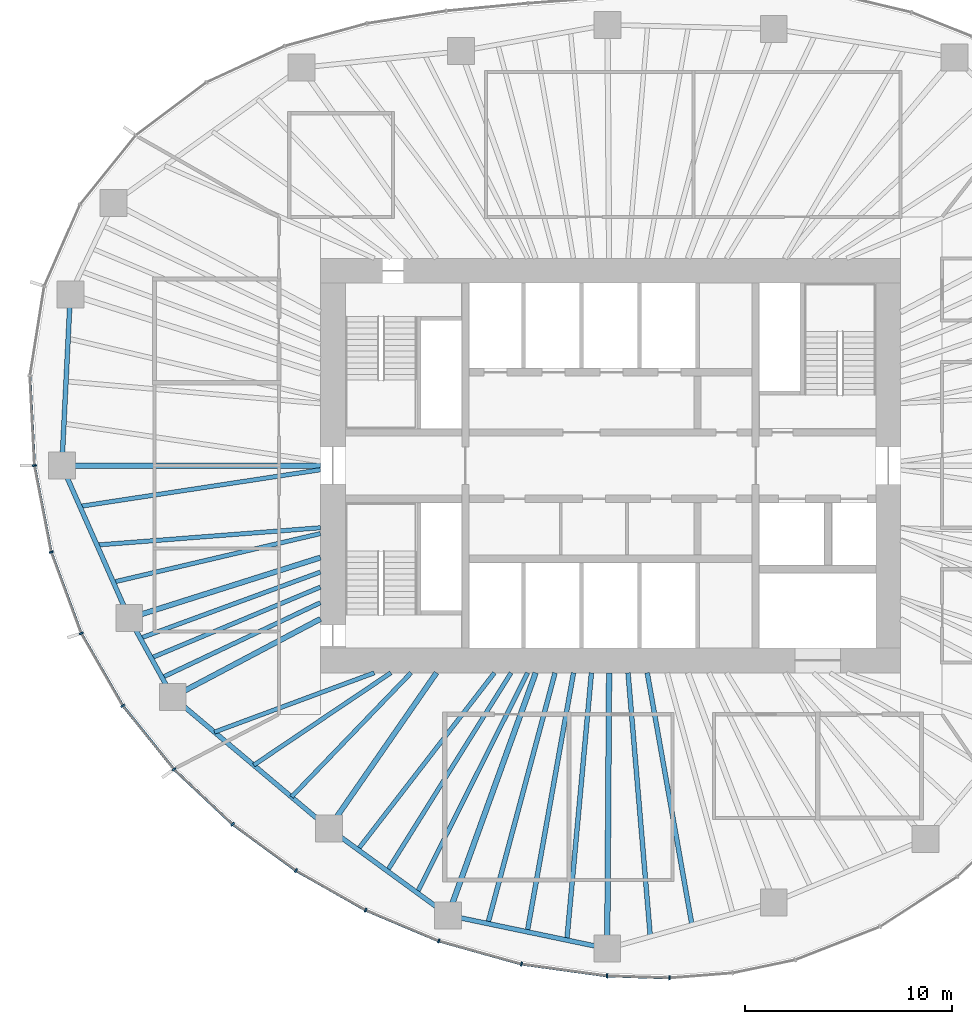
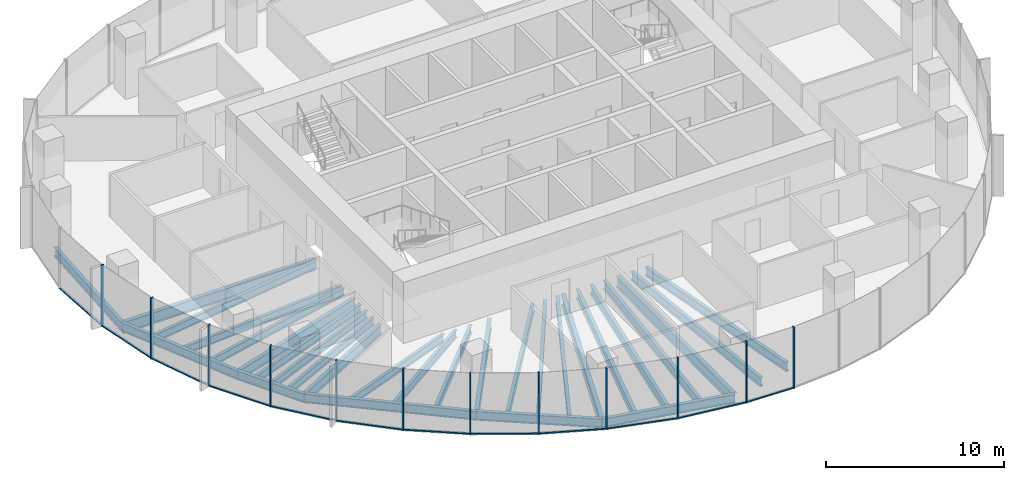
# One storey, part 2 of 12: 29 beams, 24 members, 7 elements without a shape of their own.
"""IFC4 building model written with IfcOpenShell, lengths in metres."""

from ifc_helpers import new_model, si_unit, direction, frame, origin, origin_2d, place, context, subcontext, project, spatial, rectangle, i_section, extrude, material, material_profile, profile_set, type_object, element, aggregate, save


model = new_model("IFC4")

# Units and contexts
model_context = context("Model", 3, precision=1e-05, world=origin(), true_north=direction((0.0, 1.0)))
body_context = subcontext(model_context, "Body", "Model", "MODEL_VIEW")
ifc_project = project(units=[si_unit("LENGTHUNIT", "METRE"), si_unit("AREAUNIT", "SQUARE_METRE"), si_unit("VOLUMEUNIT", "CUBIC_METRE"), si_unit("PLANEANGLEUNIT", "RADIAN"), si_unit("MASSUNIT", "GRAM", prefix="KILO")], contexts=[model_context])

# Site, building, storey
site_placement = place(None, origin())
site = spatial("IfcSite", under=ifc_project, at=site_placement, CompositionType="ELEMENT")
building_placement = place(site_placement, origin())
building = spatial("IfcBuilding", under=site, at=building_placement, Name="Ghaith Harvest Tower", CompositionType="ELEMENT")
storey_placement = place(building_placement, frame((0.0, 0.0, 224.199951171875)))
storey = spatial("IfcBuildingStorey", under=building, at=storey_placement, Name="L49", CompositionType="ELEMENT", Elevation=224.199951171875)

# Curtain wall, members
ifc_material_1 = material(Name="Black anodised aluminium and fritted glass", Category="aluminium")
curtain_wall_type = type_object("IfcCurtainWallType", Name="CW-H CURTAIN WALL", PredefinedType="NOTDEFINED", material=ifc_material_1)
curtain_wall_1_placement = place(storey_placement, origin())
curtain_wall_1 = element("IfcCurtainWall", 1, at=curtain_wall_1_placement, inside=storey, type_object=curtain_wall_type, Name="Curtain wall CW-H bay 11 L49", PredefinedType="NOTDEFINED")
ifc_material_2 = material(Name="Aluminium, black anodised", Category="aluminium")
ifc_material_profile_1 = material_profile(ifc_material_2, rectangle(XDim=0.080078125, YDim=0.199951171875, at=origin_2d()), Name="CW-H MULLION 80x200")
ifc_profile_set_1 = profile_set([ifc_material_profile_1], Name="Aluminium, black anodised")
member_type_1 = type_object("IfcMemberType", Name="CW-H MULLION 80x200", PredefinedType="MULLION", material=ifc_profile_set_1)
member_1_placement = place(storey_placement, frame((-27.794921875, 0.0, 0.0), z_axis=(0.0, 0.0, 1.0), x_axis=(0.12024996575, -0.992743645528, 0.0)))
member_1 = element("IfcMember", 2, at=member_1_placement, type_object=member_type_1, Name="CW-H mullion 1 bay 11 L49", PredefinedType="MULLION", context=body_context, shape_type="SweptSolid", body=[
    extrude(rectangle(XDim=0.080078125, YDim=0.199951171875, at=origin_2d()), origin(), (0.0, 0.0, 1.0), 4.199951171875),
])
member_2_placement = place(storey_placement, frame((-26.9853515625, -4.173828125, 0.0), z_axis=(0.0, 0.0, 1.0), x_axis=(0.268568830903, -0.963260495955, 0.0)))
member_2 = element("IfcMember", 3, at=member_2_placement, type_object=member_type_1, Name="CW-H mullion 2 bay 11 L49", PredefinedType="MULLION", context=body_context, shape_type="SweptSolid", body=[
    extrude(rectangle(XDim=0.080078125, YDim=0.199951171875, at=origin_2d()), origin(), (0.0, 0.0, 1.0), 4.199951171875),
])

curtain_wall_2_placement = place(storey_placement, origin())
curtain_wall_2 = element("IfcCurtainWall", 4, at=curtain_wall_2_placement, inside=storey, type_object=curtain_wall_type, Name="Curtain wall CW-H bay 12 L49", PredefinedType="NOTDEFINED")
member_3_placement = place(storey_placement, frame((-25.538330078125, -8.093505859375, 0.0), z_axis=(0.0, 0.0, 1.0), x_axis=(0.422308650185, -0.906452096903, 0.0)))
member_3 = element("IfcMember", 5, at=member_3_placement, type_object=member_type_1, Name="CW-H mullion 1 bay 12 L49", PredefinedType="MULLION", context=body_context, shape_type="SweptSolid", body=[
    extrude(rectangle(XDim=0.080078125, YDim=0.199951171875, at=origin_2d()), origin(), (0.0, 0.0, 1.0), 4.199951171875),
])
member_4_placement = place(storey_placement, frame((-23.533203125, -11.58349609375, 0.0), z_axis=(0.0, 0.0, 1.0), x_axis=(0.563616546013, -0.826036554312, 0.0)))
member_4 = element("IfcMember", 6, at=member_4_placement, type_object=member_type_1, Name="CW-H mullion 2 bay 12 L49", PredefinedType="MULLION", context=body_context, shape_type="SweptSolid", body=[
    extrude(rectangle(XDim=0.080078125, YDim=0.199951171875, at=origin_2d()), origin(), (0.0, 0.0, 1.0), 4.199951171875),
])

curtain_wall_3_placement = place(storey_placement, origin())
curtain_wall_3 = element("IfcCurtainWall", 7, at=curtain_wall_3_placement, inside=storey, type_object=curtain_wall_type, Name="Curtain wall CW-H bay 13 L49", PredefinedType="NOTDEFINED")
member_5_placement = place(storey_placement, frame((-21.0615234375, -14.65478515625, 0.0), z_axis=(0.0, 0.0, 1.0), x_axis=(0.679181589754, -0.733970277422, 0.0)))
member_5 = element("IfcMember", 8, at=member_5_placement, type_object=member_type_1, Name="CW-H mullion 1 bay 13 L49", PredefinedType="MULLION", context=body_context, shape_type="SweptSolid", body=[
    extrude(rectangle(XDim=0.080078125, YDim=0.199951171875, at=origin_2d()), origin(), (0.0, 0.0, 1.0), 4.199951171875),
])
member_6_placement = place(storey_placement, frame((-18.238037109375, -17.30615234375, 0.0), z_axis=(0.0, 0.0, 1.0), x_axis=(0.769216709506, -0.638987991919, 0.0)))
member_6 = element("IfcMember", 9, at=member_6_placement, type_object=member_type_1, Name="CW-H mullion 2 bay 13 L49", PredefinedType="MULLION", context=body_context, shape_type="SweptSolid", body=[
    extrude(rectangle(XDim=0.080078125, YDim=0.199951171875, at=origin_2d()), origin(), (0.0, 0.0, 1.0), 4.199951171875),
])

curtain_wall_4_placement = place(storey_placement, origin())
curtain_wall_4 = element("IfcCurtainWall", 10, at=curtain_wall_4_placement, inside=storey, type_object=curtain_wall_type, Name="Curtain wall CW-H bay 14 L49", PredefinedType="NOTDEFINED")
member_7_placement = place(storey_placement, frame((-15.177490234375, -19.542724609375, 0.0), z_axis=(0.0, 0.0, 1.0), x_axis=(0.840233591157, -0.5422245958, 0.0)))
member_7 = element("IfcMember", 11, at=member_7_placement, type_object=member_type_1, Name="CW-H mullion 1 bay 14 L49", PredefinedType="MULLION", context=body_context, shape_type="SweptSolid", body=[
    extrude(rectangle(XDim=0.080078125, YDim=0.199951171875, at=origin_2d()), origin(), (0.0, 0.0, 1.0), 4.199951171875),
])
member_8_placement = place(storey_placement, frame((-11.815185546875, -21.45068359375, 0.0), z_axis=(0.0, 0.0, 1.0), x_axis=(0.896852966189, -0.442328788389, 0.0)))
member_8 = element("IfcMember", 12, at=member_8_placement, type_object=member_type_1, Name="CW-H mullion 2 bay 14 L49", PredefinedType="MULLION", context=body_context, shape_type="SweptSolid", body=[
    extrude(rectangle(XDim=0.080078125, YDim=0.199951171875, at=origin_2d()), origin(), (0.0, 0.0, 1.0), 4.199951171875),
])

curtain_wall_5_placement = place(storey_placement, origin())
curtain_wall_5 = element("IfcCurtainWall", 13, at=curtain_wall_5_placement, inside=storey, type_object=curtain_wall_type, Name="Curtain wall CW-H bay 15 L49", PredefinedType="NOTDEFINED")
member_9_placement = place(storey_placement, frame((-8.285888671875, -22.941650390625, 0.0), z_axis=(0.0, 0.0, 1.0), x_axis=(0.944906041636, -0.327341675439, 0.0)))
member_9 = element("IfcMember", 14, at=member_9_placement, type_object=member_type_1, Name="CW-H mullion 1 bay 15 L49", PredefinedType="MULLION", context=body_context, shape_type="SweptSolid", body=[
    extrude(rectangle(XDim=0.080078125, YDim=0.199951171875, at=origin_2d()), origin(), (0.0, 0.0, 1.0), 4.199951171875),
])
member_10_placement = place(storey_placement, frame((-4.2958984375, -24.0556640625, 0.0), z_axis=(0.0, 0.0, 1.0), x_axis=(0.979161388311, -0.203083666601, 0.0)))
member_10 = element("IfcMember", 15, at=member_10_placement, type_object=member_type_1, Name="CW-H mullion 2 bay 15 L49", PredefinedType="MULLION", context=body_context, shape_type="SweptSolid", body=[
    extrude(rectangle(XDim=0.080078125, YDim=0.199951171875, at=origin_2d()), origin(), (0.0, 0.0, 1.0), 4.199951171875),
])

curtain_wall_6_placement = place(storey_placement, origin())
curtain_wall_6 = element("IfcCurtainWall", 16, at=curtain_wall_6_placement, inside=storey, type_object=curtain_wall_type, Name="Curtain wall CW-H bay 16 L49", PredefinedType="NOTDEFINED")
member_11_placement = place(storey_placement, frame((-0.16845703125, -24.625244140625, 0.0), z_axis=(0.0, 0.0, 1.0), x_axis=(0.99568459113, -0.092801912617, 0.0)))
member_11 = element("IfcMember", 17, at=member_11_placement, type_object=member_type_1, Name="CW-H mullion 1 bay 16 L49", PredefinedType="MULLION", context=body_context, shape_type="SweptSolid", body=[
    extrude(rectangle(XDim=0.080078125, YDim=0.199951171875, at=origin_2d()), origin(), (0.0, 0.0, 1.0), 4.199951171875),
])
member_12_placement = place(storey_placement, frame((2.84765625, -24.721435546875, 0.0), z_axis=(0.0, 0.0, 1.0), x_axis=(0.999724413906, 0.02347543907, 0.0)))
member_12 = element("IfcMember", 18, at=member_12_placement, type_object=member_type_1, Name="CW-H mullion 2 bay 16 L49", PredefinedType="MULLION", context=body_context, shape_type="SweptSolid", body=[
    extrude(rectangle(XDim=0.080078125, YDim=0.199951171875, at=origin_2d()), origin(), (0.0, 0.0, 1.0), 4.199951171875),
])

# Curtain wall, member
curtain_wall_7_placement = place(storey_placement, origin())
curtain_wall_7 = element("IfcCurtainWall", 19, at=curtain_wall_7_placement, inside=storey, type_object=curtain_wall_type, Name="Curtain wall CW-H bay 10 L49", PredefinedType="NOTDEFINED")
ifc_material_3 = material(Name="Aluminium, black anodised", Category="aluminium")
ifc_material_profile_2 = material_profile(ifc_material_3, rectangle(XDim=0.1298828125, YDim=0.080078125, at=origin_2d()), Name="CW-H TRANSOM 130x80")
ifc_profile_set_2 = profile_set([ifc_material_profile_2], Name="Aluminium, black anodised")
member_type_2 = type_object("IfcMemberType", Name="CW-H TRANSOM 130x80", PredefinedType="USERDEFINED", material=ifc_profile_set_2)
member_13_placement = place(storey_placement, frame((-28.013671875, 4.293212890625, 0.0400390625), z_axis=(0.05084969311, -0.998706317548, 0.0), x_axis=(0.998706317548, 0.05084969311, 0.0)))
member_13 = element("IfcMember", 20, at=member_13_placement, type_object=member_type_2, Name="CW-H transom 2 bay 10 L49", ObjectType="TRANSOM", PredefinedType="USERDEFINED", context=body_context, shape_type="SweptSolid", body=[
    extrude(rectangle(XDim=0.1298828125, YDim=0.080078125, at=origin_2d()), origin(), (0.0, 0.0, 1.0), 4.2587890625),
])
aggregate(curtain_wall_7, [member_13])

# Member
member_14_placement = place(storey_placement, frame((-27.787353515625, -0.039306640625, 0.0400390625), z_axis=(0.190440428338, -0.981698753821, 0.0), x_axis=(0.981698753821, 0.190440428338, 0.0)))
member_14 = element("IfcMember", 21, at=member_14_placement, type_object=member_type_2, Name="CW-H transom 1 bay 11 L49", ObjectType="TRANSOM", PredefinedType="USERDEFINED", context=body_context, shape_type="SweptSolid", body=[
    extrude(rectangle(XDim=0.1298828125, YDim=0.080078125, at=origin_2d()), origin(), (0.0, 0.0, 1.0), 4.171630859375),
])

member_15_placement = place(storey_placement, frame((-26.971435546875, -4.21142578125, 0.0400390625), z_axis=(0.346287782987, -0.93812833416, 0.0), x_axis=(0.93812833416, 0.346287782987, 0.0)))
member_15 = element("IfcMember", 22, at=member_15_placement, type_object=member_type_2, Name="CW-H transom 2 bay 11 L49", ObjectType="TRANSOM", PredefinedType="USERDEFINED", context=body_context, shape_type="SweptSolid", body=[
    extrude(rectangle(XDim=0.1298828125, YDim=0.080078125, at=origin_2d()), origin(), (0.0, 0.0, 1.0), 4.098388671875),
])

aggregate(curtain_wall_1, [member_1, member_14, member_2, member_15])

member_16_placement = place(storey_placement, frame((-25.5185546875, -8.128173828125, 0.0400390625), z_axis=(0.498176929488, -0.86707539864, 0.0), x_axis=(0.86707539864, 0.498176929488, 0.0)))
member_16 = element("IfcMember", 23, at=member_16_placement, type_object=member_type_2, Name="CW-H transom 1 bay 12 L49", ObjectType="TRANSOM", PredefinedType="USERDEFINED", context=body_context, shape_type="SweptSolid", body=[
    extrude(rectangle(XDim=0.1298828125, YDim=0.080078125, at=origin_2d()), origin(), (0.0, 0.0, 1.0), 3.945068359375),
])

member_17_placement = place(storey_placement, frame((-23.508056640625, -11.61474609375, 0.0400390625), z_axis=(0.626958878139, -0.779052350694, 0.0), x_axis=(0.779052350694, 0.626958878139, 0.0)))
member_17 = element("IfcMember", 24, at=member_17_placement, type_object=member_type_2, Name="CW-H transom 2 bay 12 L49", ObjectType="TRANSOM", PredefinedType="USERDEFINED", context=body_context, shape_type="SweptSolid", body=[
    extrude(rectangle(XDim=0.1298828125, YDim=0.080078125, at=origin_2d()), origin(), (0.0, 0.0, 1.0), 3.862060546875),
])

aggregate(curtain_wall_2, [member_3, member_16, member_4, member_17])

member_18_placement = place(storey_placement, frame((-21.032470703125, -14.68212890625, 0.0400390625), z_axis=(0.729025183709, -0.684486874613, 0.0), x_axis=(0.684486874613, 0.729025183709, 0.0)))
member_18 = element("IfcMember", 25, at=member_18_placement, type_object=member_type_2, Name="CW-H transom 1 bay 13 L49", ObjectType="TRANSOM", PredefinedType="USERDEFINED", context=body_context, shape_type="SweptSolid", body=[
    extrude(rectangle(XDim=0.1298828125, YDim=0.080078125, at=origin_2d()), origin(), (0.0, 0.0, 1.0), 3.793212890625),
])

member_19_placement = place(storey_placement, frame((-18.20556640625, -17.32958984375, 0.0400390625), z_axis=(0.807368217185, -0.590047931849, 0.0), x_axis=(0.590047931849, 0.807368217185, 0.0)))
member_19 = element("IfcMember", 26, at=member_19_placement, type_object=member_type_2, Name="CW-H transom 2 bay 13 L49", ObjectType="TRANSOM", PredefinedType="USERDEFINED", context=body_context, shape_type="SweptSolid", body=[
    extrude(rectangle(XDim=0.1298828125, YDim=0.080078125, at=origin_2d()), origin(), (0.0, 0.0, 1.0), 3.710693359375),
])

aggregate(curtain_wall_3, [member_5, member_18, member_6, member_19])

member_20_placement = place(storey_placement, frame((-15.142822265625, -19.5625, 0.0400390625), z_axis=(0.869735291487, -0.493518513068, 0.0), x_axis=(0.493518513068, 0.869735291487, 0.0)))
member_20 = element("IfcMember", 27, at=member_20_placement, type_object=member_type_2, Name="CW-H transom 1 bay 14 L49", ObjectType="TRANSOM", PredefinedType="USERDEFINED", context=body_context, shape_type="SweptSolid", body=[
    extrude(rectangle(XDim=0.1298828125, YDim=0.080078125, at=origin_2d()), origin(), (0.0, 0.0, 1.0), 3.785888671875),
])

member_21_placement = place(storey_placement, frame((-11.7783203125, -21.46630859375, 0.0400390625), z_axis=(0.921182691948, -0.38913037411, 0.0), x_axis=(0.38913037411, 0.921182691948, 0.0)))
member_21 = element("IfcMember", 28, at=member_21_placement, type_object=member_type_2, Name="CW-H transom 2 bay 14 L49", ObjectType="TRANSOM", PredefinedType="USERDEFINED", context=body_context, shape_type="SweptSolid", body=[
    extrude(rectangle(XDim=0.1298828125, YDim=0.080078125, at=origin_2d()), origin(), (0.0, 0.0, 1.0), 3.751220703125),
])

aggregate(curtain_wall_4, [member_7, member_20, member_8, member_21])

member_22_placement = place(storey_placement, frame((-8.24755859375, -22.952392578125, 0.0400390625), z_axis=(0.963164092269, -0.268914356932, 0.0), x_axis=(0.268914356932, 0.963164092269, 0.0)))
member_22 = element("IfcMember", 29, at=member_22_placement, type_object=member_type_2, Name="CW-H transom 1 bay 15 L49", ObjectType="TRANSOM", PredefinedType="USERDEFINED", context=body_context, shape_type="SweptSolid", body=[
    extrude(rectangle(XDim=0.1298828125, YDim=0.080078125, at=origin_2d()), origin(), (0.0, 0.0, 1.0), 4.062744140625),
])

member_23_placement = place(storey_placement, frame((-4.25634765625, -24.06103515625, 0.0400390625), z_axis=(0.990605228149, -0.136752630555, 0.0), x_axis=(0.136752630555, 0.990605228149, 0.0)))
member_23 = element("IfcMember", 30, at=member_23_placement, type_object=member_type_2, Name="CW-H transom 2 bay 15 L49", ObjectType="TRANSOM", PredefinedType="USERDEFINED", context=body_context, shape_type="SweptSolid", body=[
    extrude(rectangle(XDim=0.1298828125, YDim=0.080078125, at=origin_2d()), origin(), (0.0, 0.0, 1.0), 4.08642578125),
])

aggregate(curtain_wall_5, [member_9, member_22, member_10, member_23])

member_24_placement = place(storey_placement, frame((-0.128662109375, -24.62646484375, 0.0400390625), z_axis=(0.999490770233, -0.031909249731, 0.0), x_axis=(0.031909249731, 0.999490770233, 0.0)))
member_24 = element("IfcMember", 31, at=member_24_placement, type_object=member_type_2, Name="CW-H transom 1 bay 16 L49", ObjectType="TRANSOM", PredefinedType="USERDEFINED", context=body_context, shape_type="SweptSolid", body=[
    extrude(rectangle(XDim=0.1298828125, YDim=0.080078125, at=origin_2d()), origin(), (0.0, 0.0, 1.0), 2.93798828125),
])

aggregate(curtain_wall_6, [member_11, member_24, member_12])

# Beams
ifc_material_4 = material(Name="Steel ASTM A992 Grade 50", Category="steel")
ifc_material_profile_3 = material_profile(ifc_material_4, i_section(OverallWidth=0.22900390625, OverallDepth=0.612060546875, WebThickness=0.011962890625, FlangeThickness=0.01953125, at=origin_2d()), Name="W610X125")
ifc_profile_set_3 = profile_set([ifc_material_profile_3], Name="Steel ASTM A992 Grade 50")
beam_type_1 = type_object("IfcBeamType", Name="E610-125 W610X125", PredefinedType="SPANDREL", material=ifc_profile_set_3)
beam_1_placement = place(storey_placement, frame((-26.06689453125, 8.260986328125, -0.475830078125), z_axis=(-0.049353148492, -0.998781390863, 0.0), x_axis=(0.998781390863, -0.049353148492, 0.0)))
element("IfcBeam", 32, at=beam_1_placement, inside=storey, type_object=beam_type_1, Name="Edge beam E10 L49", PredefinedType="SPANDREL", context=body_context, shape_type="SweptSolid", body=[
    extrude(i_section(OverallWidth=0.22900390625, OverallDepth=0.612060546875, WebThickness=0.011962890625, FlangeThickness=0.01953125, at=origin_2d()), origin(), (0.0, 0.0, 1.0), 8.27099609375),
])
beam_2_placement = place(storey_placement, frame((-26.47509765625, 0.0, -0.475830078125), z_axis=(0.404042817399, -0.914740073304, 0.0), x_axis=(0.914740073304, 0.404042817399, 0.0)))
element("IfcBeam", 33, at=beam_2_placement, inside=storey, type_object=beam_type_1, Name="Edge beam E11 L49", PredefinedType="SPANDREL", context=body_context, shape_type="SweptSolid", body=[
    extrude(i_section(OverallWidth=0.22900390625, OverallDepth=0.612060546875, WebThickness=0.011962890625, FlangeThickness=0.01953125, at=origin_2d()), origin(), (0.0, 0.0, 1.0), 8.046142578125),
])
beam_3_placement = place(storey_placement, frame((-23.22412109375, -7.360107421875, -0.475830078125), z_axis=(0.482955575345, -0.875644855089, 0.0), x_axis=(0.875644855089, 0.482955575345, 0.0)))
element("IfcBeam", 34, at=beam_3_placement, inside=storey, type_object=beam_type_1, Name="Edge beam E12 L49", PredefinedType="SPANDREL", context=body_context, shape_type="SweptSolid", body=[
    extrude(i_section(OverallWidth=0.22900390625, OverallDepth=0.612060546875, WebThickness=0.011962890625, FlangeThickness=0.01953125, at=origin_2d()), origin(), (0.0, 0.0, 1.0), 4.346435546875),
])
beam_4_placement = place(storey_placement, frame((-21.125, -11.166015625, -0.475830078125), z_axis=(0.765021818761, -0.64400436087, 0.0), x_axis=(0.64400436087, 0.765021818761, 0.0)))
element("IfcBeam", 35, at=beam_4_placement, inside=storey, type_object=beam_type_1, Name="Edge beam E13 L49", PredefinedType="SPANDREL", context=body_context, shape_type="SweptSolid", body=[
    extrude(i_section(OverallWidth=0.22900390625, OverallDepth=0.612060546875, WebThickness=0.011962890625, FlangeThickness=0.01953125, at=origin_2d()), origin(), (0.0, 0.0, 1.0), 9.8427734375),
])
beam_5_placement = place(storey_placement, frame((-13.594970703125, -17.5048828125, -0.475830078125), z_axis=(0.808194782503, -0.588915268553, 0.0), x_axis=(0.588915268553, 0.808194782503, 0.0)))
element("IfcBeam", 36, at=beam_5_placement, inside=storey, type_object=beam_type_1, Name="Edge beam E14 L49", PredefinedType="SPANDREL", context=body_context, shape_type="SweptSolid", body=[
    extrude(i_section(OverallWidth=0.22900390625, OverallDepth=0.612060546875, WebThickness=0.011962890625, FlangeThickness=0.01953125, at=origin_2d()), origin(), (0.0, 0.0, 1.0), 7.123291015625),
])
beam_6_placement = place(storey_placement, frame((-7.837890625, -21.699951171875, -0.475830078125), z_axis=(0.978847910797, -0.20458926543, 0.0), x_axis=(0.20458926543, 0.978847910797, 0.0)))
element("IfcBeam", 37, at=beam_6_placement, inside=storey, type_object=beam_type_1, Name="Edge beam E15 L49", PredefinedType="SPANDREL", context=body_context, shape_type="SweptSolid", body=[
    extrude(i_section(OverallWidth=0.22900390625, OverallDepth=0.612060546875, WebThickness=0.011962890625, FlangeThickness=0.01953125, at=origin_2d()), origin(), (0.0, 0.0, 1.0), 7.844970703125),
])
ifc_material_5 = material(Name="Steel ASTM A992 Grade 50", Category="steel")
ifc_material_profile_4 = material_profile(ifc_material_5, i_section(OverallWidth=0.256103515625, OverallDepth=0.693115234375, WebThickness=0.014404296875, FlangeThickness=0.023681640625, at=origin_2d()), Name="W690X170")
ifc_profile_set_4 = profile_set([ifc_material_profile_4], Name="Steel ASTM A992 Grade 50")
beam_type_2 = type_object("IfcBeamType", Name="G690-170 W690X170", PredefinedType="BEAM", material=ifc_profile_set_4)
beam_7_placement = place(storey_placement, frame((-14.0, -4.43701171875, -0.516357421875), z_axis=(-0.953279028151, -0.302091202267, 0.0), x_axis=(0.302091202267, -0.953279028151, 0.0)))
element("IfcBeam", 38, at=beam_7_placement, inside=storey, type_object=beam_type_2, Name="Radial girder G12 L49", PredefinedType="BEAM", context=body_context, shape_type="SweptSolid", body=[
    extrude(i_section(OverallWidth=0.256103515625, OverallDepth=0.693115234375, WebThickness=0.014404296875, FlangeThickness=0.023681640625, at=origin_2d()), origin(), (0.0, 0.0, 1.0), 9.67626953125),
])
beam_8_placement = place(storey_placement, frame((-14.0, -7.39990234375, -0.516357421875), z_axis=(-0.88409279474, -0.46731138472, 0.0), x_axis=(0.46731138472, -0.88409279474, 0.0)))
element("IfcBeam", 39, at=beam_8_placement, inside=storey, type_object=beam_type_2, Name="Radial girder G13 L49", PredefinedType="BEAM", context=body_context, shape_type="SweptSolid", body=[
    extrude(i_section(OverallWidth=0.256103515625, OverallDepth=0.693115234375, WebThickness=0.014404296875, FlangeThickness=0.023681640625, at=origin_2d()), origin(), (0.0, 0.0, 1.0), 8.05908203125),
])
beam_9_placement = place(storey_placement, frame((-8.39990234375, -10.0, -0.516357421875), z_axis=(-0.569164078909, -0.822223966617, 0.0), x_axis=(0.822223966617, -0.569164078909, 0.0)))
element("IfcBeam", 40, at=beam_9_placement, inside=storey, type_object=beam_type_2, Name="Radial girder G14 L49", PredefinedType="BEAM", context=body_context, shape_type="SweptSolid", body=[
    extrude(i_section(OverallWidth=0.256103515625, OverallDepth=0.693115234375, WebThickness=0.014404296875, FlangeThickness=0.023681640625, at=origin_2d()), origin(), (0.0, 0.0, 1.0), 9.12744140625),
])
ifc_material_6 = material(Name="Steel ASTM A992 Grade 50", Category="steel")
ifc_material_profile_5 = material_profile(ifc_material_6, i_section(OverallWidth=0.26806640625, OverallDepth=0.77001953125, WebThickness=0.015625, FlangeThickness=0.025390625, at=origin_2d()), Name="W760X196")
ifc_profile_set_5 = profile_set([ifc_material_profile_5], Name="Steel ASTM A992 Grade 50")
beam_type_3 = type_object("IfcBeamType", Name="G760-196 W760X196", PredefinedType="BEAM", material=ifc_profile_set_5)
beam_10_placement = place(storey_placement, frame((-14.0, 0.0, -0.554931640625), z_axis=(-1.0, 0.0, 0.0), x_axis=(0.0, -1.0, 0.0)))
element("IfcBeam", 41, at=beam_10_placement, inside=storey, type_object=beam_type_3, Name="Radial girder G11 L49", PredefinedType="BEAM", context=body_context, shape_type="SweptSolid", body=[
    extrude(i_section(OverallWidth=0.26806640625, OverallDepth=0.77001953125, WebThickness=0.015625, FlangeThickness=0.025390625, at=origin_2d()), origin(), (0.0, 0.0, 1.0), 12.47509765625),
])
beam_11_placement = place(storey_placement, frame((-3.61181640625, -10.0, -0.554931640625), z_axis=(-0.339722108335, -0.940525857756, 0.0), x_axis=(0.940525857756, -0.339722108335, 0.0)))
element("IfcBeam", 42, at=beam_11_placement, inside=storey, type_object=beam_type_3, Name="Radial girder G15 L49", PredefinedType="BEAM", context=body_context, shape_type="SweptSolid", body=[
    extrude(i_section(OverallWidth=0.26806640625, OverallDepth=0.77001953125, WebThickness=0.015625, FlangeThickness=0.025390625, at=origin_2d()), origin(), (0.0, 0.0, 1.0), 12.439697265625),
])
beam_12_placement = place(storey_placement, frame((-0.068359375, -10.0, -0.554931640625), z_axis=(-0.00680755644, -0.999976828319, 0.0), x_axis=(0.999976828319, -0.00680755644, 0.0)))
element("IfcBeam", 43, at=beam_12_placement, inside=storey, type_object=beam_type_3, Name="Radial girder G16 L49", PredefinedType="BEAM", context=body_context, shape_type="SweptSolid", body=[
    extrude(i_section(OverallWidth=0.26806640625, OverallDepth=0.77001953125, WebThickness=0.015625, FlangeThickness=0.025390625, at=origin_2d()), origin(), (0.0, 0.0, 1.0), 13.30517578125),
])
ifc_material_7 = material(Name="Steel ASTM A992 Grade 50", Category="steel")
ifc_material_profile_6 = material_profile(ifc_material_7, i_section(OverallWidth=0.2109375, OverallDepth=0.5390625, WebThickness=0.01171875, FlangeThickness=0.018798828125, at=origin_2d()), Name="W530X109")
ifc_profile_set_6 = profile_set([ifc_material_profile_6], Name="Steel ASTM A992 Grade 50")
beam_type_4 = type_object("IfcBeamType", Name="J530-109 W530X109", PredefinedType="JOIST", material=ifc_profile_set_6)
beam_13_placement = place(storey_placement, frame((-14.0, -0.199951171875, -0.439453125), z_axis=(-0.988587077715, -0.150650555178, 0.0), x_axis=(0.150650555178, -0.988587077715, 0.0)))
element("IfcBeam", 44, at=beam_13_placement, inside=storey, type_object=beam_type_4, Name="Joist J11.1 L49", PredefinedType="JOIST", context=body_context, shape_type="SweptSolid", body=[
    extrude(i_section(OverallWidth=0.2109375, OverallDepth=0.5390625, WebThickness=0.01171875, FlangeThickness=0.018798828125, at=origin_2d()), origin(), (0.0, 0.0, 1.0), 11.739501953125),
])
beam_14_placement = place(storey_placement, frame((-14.0, -3.0, -0.439453125), z_axis=(-0.997028799301, -0.077029691443, 0.0), x_axis=(0.077029691443, -0.997028799301, 0.0)))
element("IfcBeam", 45, at=beam_14_placement, inside=storey, type_object=beam_type_4, Name="Joist J11.2 L49", PredefinedType="JOIST", context=body_context, shape_type="SweptSolid", body=[
    extrude(i_section(OverallWidth=0.2109375, OverallDepth=0.5390625, WebThickness=0.01171875, FlangeThickness=0.018798828125, at=origin_2d()), origin(), (0.0, 0.0, 1.0), 10.814208984375),
])
beam_15_placement = place(storey_placement, frame((-14.0, -3.280517578125, -0.439453125), z_axis=(-0.97362176086, -0.22816806696, 0.0), x_axis=(0.22816806696, -0.97362176086, 0.0)))
element("IfcBeam", 46, at=beam_15_placement, inside=storey, type_object=beam_type_4, Name="Joist J11.3 L49", PredefinedType="JOIST", context=body_context, shape_type="SweptSolid", body=[
    extrude(i_section(OverallWidth=0.2109375, OverallDepth=0.5390625, WebThickness=0.01171875, FlangeThickness=0.018798828125, at=origin_2d()), origin(), (0.0, 0.0, 1.0), 10.262451171875),
])
beam_16_placement = place(storey_placement, frame((-5.60009765625, -10.0, -0.439453125), z_axis=(-0.611412687895, -0.791311901264, 0.0), x_axis=(0.791311901264, -0.611412687895, 0.0)))
element("IfcBeam", 47, at=beam_16_placement, inside=storey, type_object=beam_type_4, Name="Joist J14.1 L49", PredefinedType="JOIST", context=body_context, shape_type="SweptSolid", body=[
    extrude(i_section(OverallWidth=0.2109375, OverallDepth=0.5390625, WebThickness=0.01171875, FlangeThickness=0.018798828125, at=origin_2d()), origin(), (0.0, 0.0, 1.0), 10.778076171875),
])
beam_17_placement = place(storey_placement, frame((-4.800048828125, -10.0, -0.439453125), z_axis=(-0.529921073682, -0.848046965484, 0.0), x_axis=(0.848046965484, -0.529921073682, 0.0)))
element("IfcBeam", 48, at=beam_17_placement, inside=storey, type_object=beam_type_4, Name="Joist J14.2 L49", PredefinedType="JOIST", context=body_context, shape_type="SweptSolid", body=[
    extrude(i_section(OverallWidth=0.2109375, OverallDepth=0.5390625, WebThickness=0.01171875, FlangeThickness=0.018798828125, at=origin_2d()), origin(), (0.0, 0.0, 1.0), 11.273681640625),
])
beam_18_placement = place(storey_placement, frame((-4.0, -10.0, -0.439453125), z_axis=(-0.448791718068, -0.893636387908, 0.0), x_axis=(0.893636387908, -0.448791718068, 0.0)))
element("IfcBeam", 49, at=beam_18_placement, inside=storey, type_object=beam_type_4, Name="Joist J14.3 L49", PredefinedType="JOIST", context=body_context, shape_type="SweptSolid", body=[
    extrude(i_section(OverallWidth=0.2109375, OverallDepth=0.5390625, WebThickness=0.01171875, FlangeThickness=0.018798828125, at=origin_2d()), origin(), (0.0, 0.0, 1.0), 11.8759765625),
])
ifc_material_8 = material(Name="Steel ASTM A992 Grade 50", Category="steel")
ifc_material_profile_7 = material_profile(ifc_material_8, i_section(OverallWidth=0.208984375, OverallDepth=0.532958984375, WebThickness=0.01025390625, FlangeThickness=0.015625, at=origin_2d()), Name="W530X92")
ifc_profile_set_7 = profile_set([ifc_material_profile_7], Name="Steel ASTM A992 Grade 50")
beam_type_5 = type_object("IfcBeamType", Name="J530-92 W530X92", PredefinedType="JOIST", material=ifc_profile_set_7)
beam_19_placement = place(storey_placement, frame((-14.0, -5.137939453125, -0.4365234375), z_axis=(-0.93877284801, -0.34453670318, 0.0), x_axis=(0.34453670318, -0.93877284801, 0.0)))
element("IfcBeam", 50, at=beam_19_placement, inside=storey, type_object=beam_type_5, Name="Joist J12.1 L49", PredefinedType="JOIST", context=body_context, shape_type="SweptSolid", body=[
    extrude(i_section(OverallWidth=0.208984375, OverallDepth=0.532958984375, WebThickness=0.01025390625, FlangeThickness=0.015625, at=origin_2d()), origin(), (0.0, 0.0, 1.0), 9.25732421875),
])
beam_20_placement = place(storey_placement, frame((-14.0, -5.862548828125, -0.4365234375), z_axis=(-0.922387515293, -0.386265804377, 0.0), x_axis=(0.386265804377, -0.922387515293, 0.0)))
element("IfcBeam", 51, at=beam_20_placement, inside=storey, type_object=beam_type_5, Name="Joist J12.2 L49", PredefinedType="JOIST", context=body_context, shape_type="SweptSolid", body=[
    extrude(i_section(OverallWidth=0.208984375, OverallDepth=0.532958984375, WebThickness=0.01025390625, FlangeThickness=0.015625, at=origin_2d()), origin(), (0.0, 0.0, 1.0), 8.851318359375),
])
beam_21_placement = place(storey_placement, frame((-14.0, -6.614990234375, -0.4365234375), z_axis=(-0.90415786724, -0.427198491462, 0.0), x_axis=(0.427198491462, -0.90415786724, 0.0)))
element("IfcBeam", 52, at=beam_21_placement, inside=storey, type_object=beam_type_5, Name="Joist J12.3 L49", PredefinedType="JOIST", context=body_context, shape_type="SweptSolid", body=[
    extrude(i_section(OverallWidth=0.208984375, OverallDepth=0.532958984375, WebThickness=0.01025390625, FlangeThickness=0.015625, at=origin_2d()), origin(), (0.0, 0.0, 1.0), 8.45361328125),
])
beam_22_placement = place(storey_placement, frame((-11.39990234375, -10.0, -0.4365234375), z_axis=(-0.937594001899, -0.34773191916, 0.0), x_axis=(0.34773191916, -0.937594001899, 0.0)))
element("IfcBeam", 53, at=beam_22_placement, inside=storey, type_object=beam_type_5, Name="Joist J13.1 L49", PredefinedType="JOIST", context=body_context, shape_type="SweptSolid", body=[
    extrude(i_section(OverallWidth=0.208984375, OverallDepth=0.532958984375, WebThickness=0.01025390625, FlangeThickness=0.015625, at=origin_2d()), origin(), (0.0, 0.0, 1.0), 8.225830078125),
])
beam_23_placement = place(storey_placement, frame((-10.60009765625, -10.0, -0.4365234375), z_axis=(-0.829594017544, -0.55836705316, 0.0), x_axis=(0.55836705316, -0.829594017544, 0.0)))
element("IfcBeam", 54, at=beam_23_placement, inside=storey, type_object=beam_type_5, Name="Joist J13.2 L49", PredefinedType="JOIST", context=body_context, shape_type="SweptSolid", body=[
    extrude(i_section(OverallWidth=0.208984375, OverallDepth=0.532958984375, WebThickness=0.01025390625, FlangeThickness=0.015625, at=origin_2d()), origin(), (0.0, 0.0, 1.0), 7.977783203125),
])
beam_24_placement = place(storey_placement, frame((-9.626708984375, -10.0, -0.4365234375), z_axis=(-0.693546892509, -0.720411485119, 0.0), x_axis=(0.720411485119, -0.693546892509, 0.0)))
element("IfcBeam", 55, at=beam_24_placement, inside=storey, type_object=beam_type_5, Name="Joist J13.3 L49", PredefinedType="JOIST", context=body_context, shape_type="SweptSolid", body=[
    extrude(i_section(OverallWidth=0.208984375, OverallDepth=0.532958984375, WebThickness=0.01025390625, FlangeThickness=0.015625, at=origin_2d()), origin(), (0.0, 0.0, 1.0), 8.3154296875),
])
ifc_material_9 = material(Name="Steel ASTM A992 Grade 50", Category="steel")
ifc_material_profile_8 = material_profile(ifc_material_9, i_section(OverallWidth=0.22900390625, OverallDepth=0.612060546875, WebThickness=0.011962890625, FlangeThickness=0.01953125, at=origin_2d()), Name="W610X125")
ifc_profile_set_8 = profile_set([ifc_material_profile_8], Name="Steel ASTM A992 Grade 50")
beam_type_6 = type_object("IfcBeamType", Name="J610-125 W610X125", PredefinedType="JOIST", material=ifc_profile_set_8)
beam_25_placement = place(storey_placement, frame((-2.677978515625, -10.0, -0.475830078125), z_axis=(-0.258683807585, -0.965962052926, 0.0), x_axis=(0.965962052926, -0.258683807585, 0.0)))
element("IfcBeam", 56, at=beam_25_placement, inside=storey, type_object=beam_type_6, Name="Joist J15.1 L49", PredefinedType="JOIST", context=body_context, shape_type="SweptSolid", body=[
    extrude(i_section(OverallWidth=0.22900390625, OverallDepth=0.612060546875, WebThickness=0.011962890625, FlangeThickness=0.01953125, at=origin_2d()), origin(), (0.0, 0.0, 1.0), 12.52783203125),
])
beam_26_placement = place(storey_placement, frame((-1.785888671875, -10.0, -0.475830078125), z_axis=(-0.17579463172, -0.984426862422, 0.0), x_axis=(0.984426862422, -0.17579463172, 0.0)))
element("IfcBeam", 57, at=beam_26_placement, inside=storey, type_object=beam_type_6, Name="Joist J15.2 L49", PredefinedType="JOIST", context=body_context, shape_type="SweptSolid", body=[
    extrude(i_section(OverallWidth=0.22900390625, OverallDepth=0.612060546875, WebThickness=0.011962890625, FlangeThickness=0.01953125, at=origin_2d()), origin(), (0.0, 0.0, 1.0), 12.6962890625),
])
beam_27_placement = place(storey_placement, frame((-0.92041015625, -10.0, -0.475830078125), z_axis=(-0.091645483251, -0.995791697796, 0.0), x_axis=(0.995791697796, -0.091645483251, 0.0)))
element("IfcBeam", 58, at=beam_27_placement, inside=storey, type_object=beam_type_6, Name="Joist J15.3 L49", PredefinedType="JOIST", context=body_context, shape_type="SweptSolid", body=[
    extrude(i_section(OverallWidth=0.22900390625, OverallDepth=0.612060546875, WebThickness=0.011962890625, FlangeThickness=0.01953125, at=origin_2d()), origin(), (0.0, 0.0, 1.0), 12.9521484375),
])
beam_28_placement = place(storey_placement, frame((0.844970703125, -10.0, -0.475830078125), z_axis=(0.084217590158, -0.996447388229, 0.0), x_axis=(0.996447388229, 0.084217590158, 0.0)))
element("IfcBeam", 59, at=beam_28_placement, inside=storey, type_object=beam_type_6, Name="Joist J16.1 L49", PredefinedType="JOIST", context=body_context, shape_type="SweptSolid", body=[
    extrude(i_section(OverallWidth=0.22900390625, OverallDepth=0.612060546875, WebThickness=0.011962890625, FlangeThickness=0.01953125, at=origin_2d()), origin(), (0.0, 0.0, 1.0), 12.772705078125),
])
beam_29_placement = place(storey_placement, frame((1.772705078125, -10.0, -0.475830078125), z_axis=(0.174551600477, -0.984648027861, 0.0), x_axis=(0.984648027861, 0.174551600477, 0.0)))
element("IfcBeam", 60, at=beam_29_placement, inside=storey, type_object=beam_type_6, Name="Joist J16.2 L49", PredefinedType="JOIST", context=body_context, shape_type="SweptSolid", body=[
    extrude(i_section(OverallWidth=0.22900390625, OverallDepth=0.612060546875, WebThickness=0.011962890625, FlangeThickness=0.01953125, at=origin_2d()), origin(), (0.0, 0.0, 1.0), 12.358642578125),
])

save(model, "model.ifc")
